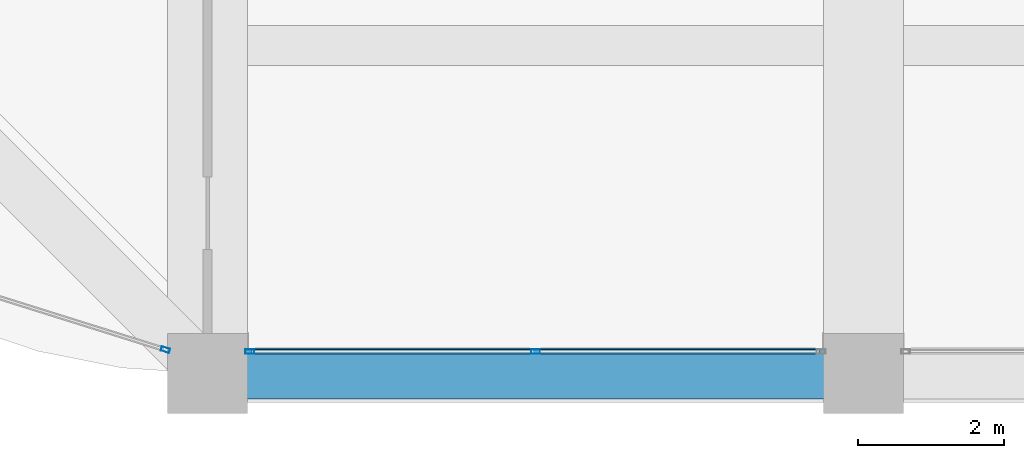
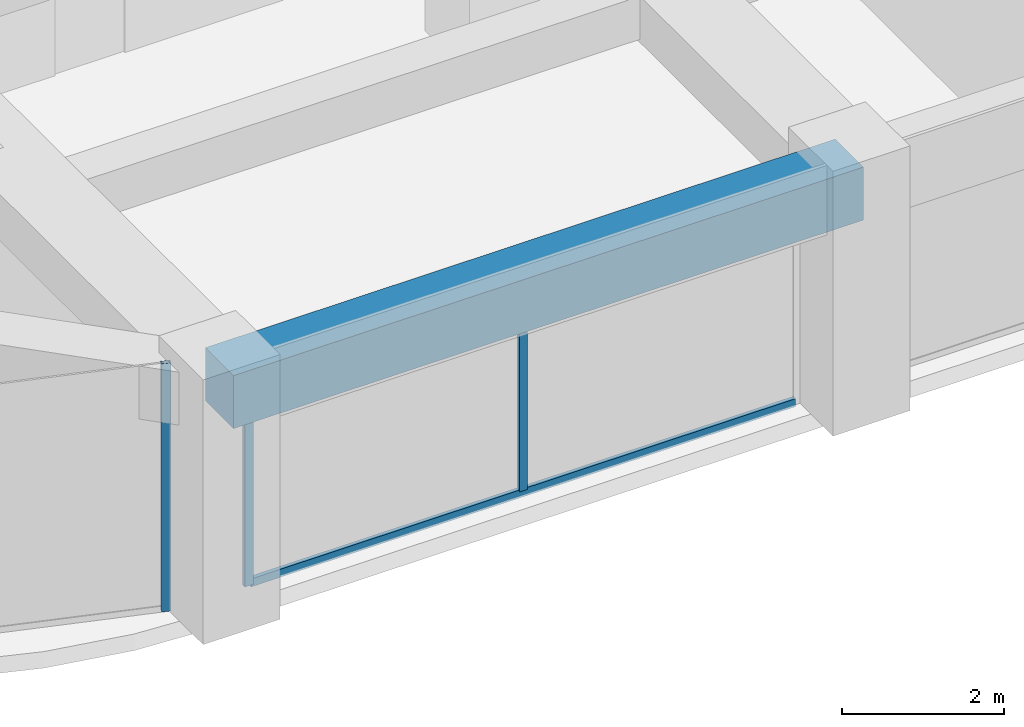
# One storey, part 4 of 44: 4 members, 1 beam, 2 elements without a shape of their own.
"""IFC4 building model written with IfcOpenShell, lengths in metres."""

import ifcopenshell
import ifcopenshell.guid

model = None  # the IFC model being written
_history = None  # IfcOwnerHistory: only IFC2X3 demands one
_inside = {}  # id of a spatial element -> (the spatial element, [elements in it])
_under = {}  # id of a project, library or spatial element -> (it, [spatial elements below it])
_declared = {}  # id of a project -> (the project, [libraries it declares])
_typed = {}  # id of a type object -> (the type object, [elements of that type])
_made_of = {}  # id of a material, layer set ... -> (it, [elements and type objects made of it])


def new_model(schema):
    """Start an empty IFC model of exactly this schema.

    Asked for "IFC4X3", IfcOpenShell would pick the latest addendum, in which some entities
    have other attributes; the version numbers below select the first issue.
    IFC2X3 requires an IfcOwnerHistory on every rooted entity: one is made here for all.
    """
    global model, _history
    if schema == "IFC4X3":
        model = ifcopenshell.file(schema_version=(4, 3, 0, 0))
    else:
        model = ifcopenshell.file(schema=schema)
    _inside.clear()
    _under.clear()
    _declared.clear()
    _typed.clear()
    _made_of.clear()
    _history = None
    if model.schema == "IFC2X3":
        org = make("IfcOrganization", Name="unknown")
        user = make(
            "IfcPersonAndOrganization",
            ThePerson=make("IfcPerson", FamilyName="unknown"),
            TheOrganization=org,
        )
        app = make(
            "IfcApplication",
            ApplicationDeveloper=org,
            Version="unknown",
            ApplicationFullName="unknown",
            ApplicationIdentifier="unknown",
        )
        _history = make(
            "IfcOwnerHistory",
            OwningUser=user,
            OwningApplication=app,
            ChangeAction="ADDED",
            CreationDate=0,
        )
    return model


def make(cls, **values):
    """One entity of the class cls with the attributes given. An attribute that is None is left unset."""
    return model.create_entity(
        cls, **{name: value for name, value in values.items() if value is not None}
    )


def rooted(cls, **values):
    """An entity with a GlobalId (a new one), such as an element, a storey or a relation."""
    return make(cls, GlobalId=ifcopenshell.guid.new(), OwnerHistory=_history, **values)


def si_unit(unit_type, name, prefix=None):
    """IfcSIUnit, for example si_unit("LENGTHUNIT", "METRE", prefix="MILLI")."""
    return make("IfcSIUnit", UnitType=unit_type, Prefix=prefix, Name=name)


def assignment(units):
    """IfcUnitAssignment: the units of a project."""
    return None if units is None else make("IfcUnitAssignment", Units=units)


def point(xyz):
    """IfcCartesianPoint."""
    return None if xyz is None else make("IfcCartesianPoint", Coordinates=xyz)


def direction(xyz):
    """IfcDirection."""
    return None if xyz is None else make("IfcDirection", DirectionRatios=xyz)


def frame(location, z_axis=None, x_axis=None):
    """IfcAxis2Placement3D, a coordinate frame: its origin and axes. An axis left out is left unset."""
    return make(
        "IfcAxis2Placement3D",
        Location=point(location),
        Axis=direction(z_axis),
        RefDirection=direction(x_axis),
    )


def frame_2d(location, x_axis=None):
    """IfcAxis2Placement2D, a coordinate frame in the plane: its origin and x axis."""
    return make(
        "IfcAxis2Placement2D", Location=point(location), RefDirection=direction(x_axis)
    )


def origin():
    """The frame at (0, 0, 0) with its axes left unset."""
    return frame((0.0, 0.0, 0.0))


def origin_2d():
    """The frame at (0, 0) in the plane with its x axis left unset."""
    return frame_2d((0.0, 0.0))


def place(relative_to, where):
    """IfcLocalPlacement: puts the frame where relative to a parent placement (None: the world)."""
    return make(
        "IfcLocalPlacement", PlacementRelTo=relative_to, RelativePlacement=where
    )


def context(
    kind, dimensions, precision=None, world=None, true_north=None, identifier=None
):
    """IfcGeometricRepresentationContext, for example the 3D "Model" context."""
    return make(
        "IfcGeometricRepresentationContext",
        ContextIdentifier=identifier,
        ContextType=kind,
        CoordinateSpaceDimension=dimensions,
        Precision=precision,
        WorldCoordinateSystem=world,
        TrueNorth=true_north,
    )


def subcontext(parent, identifier, kind, view, scale=None):
    """IfcGeometricRepresentationSubContext, for example "Body" below "Model"."""
    return make(
        "IfcGeometricRepresentationSubContext",
        ContextIdentifier=identifier,
        ContextType=kind,
        ParentContext=parent,
        TargetScale=scale,
        TargetView=view,
    )


def project(units=None, contexts=None):
    """IfcProject with its units and contexts."""
    return rooted(
        "IfcProject",
        Name="project",
        RepresentationContexts=contexts,
        UnitsInContext=assignment(units),
    )


def spatial(cls, under=None, at=None, **own):
    """A site, building, storey or space (cls), placed at a placement, below another one or the project."""
    s = rooted(cls, ObjectPlacement=at, **own)
    if under is not None:
        _under.setdefault(under.id(), (under, []))[1].append(s)
    return s


def profile(cls, at=None, kind="AREA", **sizes):
    """A parametric profile (cls). Its sizes go by their IFC names, for example OverallWidth=200.0."""
    return make(cls, ProfileType=kind, Position=at, **sizes)


def rectangle(**sizes):
    """IfcRectangleProfileDef."""
    return profile("IfcRectangleProfileDef", **sizes)


def hollow_rectangle(**sizes):
    """IfcRectangleHollowProfileDef."""
    return profile("IfcRectangleHollowProfileDef", **sizes)


def extrude(swept, where, along, depth):
    """IfcExtrudedAreaSolid: the profile swept, set in the frame where, extruded along a direction by depth."""
    return make(
        "IfcExtrudedAreaSolid",
        SweptArea=swept,
        Position=where,
        ExtrudedDirection=direction(along),
        Depth=depth,
    )


def shape(context_of_items, identifier, shape_type, items):
    """IfcShapeRepresentation: the items that make up one representation, for example the "Body"."""
    return make(
        "IfcShapeRepresentation",
        ContextOfItems=context_of_items,
        RepresentationIdentifier=identifier,
        RepresentationType=shape_type,
        Items=items,
    )


def material(Name=None, Category=None):
    """IfcMaterial."""
    return make("IfcMaterial", Name=Name, Category=Category)


def material_profile(
    of_material, cross_section, Name=None, Category=None, Priority=None
):
    """IfcMaterialProfile: a cross section and its material."""
    return make(
        "IfcMaterialProfile",
        Name=Name,
        Material=of_material,
        Profile=cross_section,
        Priority=Priority,
        Category=Category,
    )


def profile_set(profiles, Name=None, composite=None):
    """IfcMaterialProfileSet."""
    return make(
        "IfcMaterialProfileSet",
        Name=Name,
        MaterialProfiles=profiles,
        CompositeProfile=composite,
    )


def made_of(thing, what):
    """Note that an element or type object is made of a material, layer set ...; save() writes the relation."""
    if what is not None:
        _made_of.setdefault(what.id(), (what, []))[1].append(thing)
    return thing


def type_object(cls, material=None, **own):
    """A type object (cls), such as IfcWallType, which elements share."""
    return made_of(rooted(cls, **own), material)


def element(
    cls,
    number,
    at=None,
    inside=None,
    cuts=None,
    type_object=None,
    material=None,
    context=None,
    identifier="Body",
    shape_type=None,
    held_by="IfcProductDefinitionShape",
    body=None,
    shapes=None,
    **own,
):
    """One element of the class cls, such as IfcWall. Its Tag is "e" and its number.

    at: its placement. inside: the storey or other place that contains it. cuts: it is an
    opening in that element (IfcRelVoidsElement). A single representation is given by context,
    identifier, shape_type and body (its items); several are given by shapes. held_by: the class
    of the entity that holds the representations. save() writes the other relations.
    """
    e = rooted(cls, Tag="e%d" % number, ObjectPlacement=at, **own)
    if body is not None:
        shapes = [shape(context, identifier, shape_type, body)]
    if shapes is not None:
        e.Representation = make(held_by, Representations=shapes)
    if inside is not None:
        _inside.setdefault(inside.id(), (inside, []))[1].append(e)
    if cuts is not None:
        rooted(
            "IfcRelVoidsElement", RelatingBuildingElement=cuts, RelatedOpeningElement=e
        )
    if type_object is not None:
        _typed.setdefault(type_object.id(), (type_object, []))[1].append(e)
    return made_of(e, material)


def aggregate(whole, parts):
    """IfcRelAggregates: a whole, such as a stair, and the parts it consists of."""
    return rooted("IfcRelAggregates", RelatingObject=whole, RelatedObjects=parts)


def save(model, path):
    """Write the relations noted so far, then the file.

    IfcRelAggregates (storeys below a building ...), IfcRelContainedInSpatialStructure (elements
    in a storey), IfcRelDefinesByType, IfcRelAssociatesMaterial and IfcRelDeclares: one each for
    every whole, place, type object, material and project.
    """
    for whole, parts in _under.values():
        aggregate(whole, parts)
    for where, things in _inside.values():
        rooted(
            "IfcRelContainedInSpatialStructure",
            RelatedElements=things,
            RelatingStructure=where,
        )
    for kind, things in _typed.values():
        rooted("IfcRelDefinesByType", RelatedObjects=things, RelatingType=kind)
    for what, things in _made_of.values():
        rooted("IfcRelAssociatesMaterial", RelatedObjects=things, RelatingMaterial=what)
    for by, libraries in _declared.values():
        rooted("IfcRelDeclares", RelatingContext=by, RelatedDefinitions=libraries)
    model.write(path)


model = new_model("IFC4")

# Units and contexts
model_context = context("Model", 3, precision=1e-05, world=origin(), true_north=direction((0.0, 1.0)))
body_context = subcontext(model_context, "Body", "Model", "MODEL_VIEW")
ifc_project = project(units=[si_unit("LENGTHUNIT", "METRE"), si_unit("AREAUNIT", "SQUARE_METRE"), si_unit("VOLUMEUNIT", "CUBIC_METRE"), si_unit("PLANEANGLEUNIT", "RADIAN"), si_unit("MASSUNIT", "GRAM", prefix="KILO")], contexts=[model_context])

# Site, building, storey
site_placement = place(None, origin())
site = spatial("IfcSite", under=ifc_project, at=site_placement, CompositionType="ELEMENT")
building_placement = place(site_placement, origin())
building = spatial("IfcBuilding", under=site, at=building_placement, Name="Zorevar Civic Tower", CompositionType="ELEMENT")
storey_placement = place(building_placement, frame((0.0, 0.0, 251.39990234375)))
storey = spatial("IfcBuildingStorey", under=building, at=storey_placement, Name="L61", CompositionType="ELEMENT", Elevation=251.39990234375)

# Curtain wall, members
ifc_material_1 = material(Name="Dark grey solar-control glass in black aluminium frame", Category="aluminium")
curtain_wall_type = type_object("IfcCurtainWallType", Name="Curtain wall CW5 top zone", PredefinedType="NOTDEFINED", material=ifc_material_1)
curtain_wall_1_placement = place(storey_placement, origin())
curtain_wall_1 = element("IfcCurtainWall", 1, at=curtain_wall_1_placement, inside=storey, type_object=curtain_wall_type, Name="CW5 L61", PredefinedType="NOTDEFINED")
ifc_material_2 = material(Name="Aluminium, black anodised", Category="aluminium")
ifc_material_profile_1 = material_profile(ifc_material_2, hollow_rectangle(XDim=0.06005859375, YDim=0.1201171875, WallThickness=0.0029296875, at=origin_2d()), Name="AL 120x60x3")
ifc_profile_set_1 = profile_set([ifc_material_profile_1], Name="Aluminium, black anodised")
member_type_1 = type_object("IfcMemberType", Name="CW5 mullion AL 120x60x3", PredefinedType="MULLION", material=ifc_profile_set_1)
member_1_placement = place(storey_placement, frame((18.580078125, 0.300048828125, 0.0), z_axis=(0.0, 0.0, 1.0), x_axis=(0.0, 1.0, 0.0)))
member_1 = element("IfcMember", 2, at=member_1_placement, type_object=member_type_1, Name="CW5 mullion 1", PredefinedType="MULLION", context=body_context, shape_type="SweptSolid", body=[
    extrude(hollow_rectangle(XDim=0.06005859375, YDim=0.1201171875, WallThickness=0.0029296875, at=origin_2d()), origin(), (0.0, 0.0, 1.0), 2.9501953125),
])
member_2_placement = place(storey_placement, frame((22.5, 0.300048828125, 0.06005859375), z_axis=(0.0, 0.0, 1.0), x_axis=(0.0, 1.0, 0.0)))
member_2 = element("IfcMember", 3, at=member_2_placement, type_object=member_type_1, Name="CW5 mullion 2", PredefinedType="MULLION", context=body_context, shape_type="SweptSolid", body=[
    extrude(hollow_rectangle(XDim=0.06005859375, YDim=0.1201171875, WallThickness=0.0029296875, at=origin_2d()), origin(), (0.0, 0.0, 1.0), 2.89013671875),
])

# Curtain wall, member
curtain_wall_2_placement = place(storey_placement, origin())
curtain_wall_2 = element("IfcCurtainWall", 4, at=curtain_wall_2_placement, inside=storey, type_object=curtain_wall_type, Name="CW5 L61", PredefinedType="NOTDEFINED")
member_3_placement = place(storey_placement, frame((17.42138671875, 0.326416015625, 0.0), z_axis=(0.0, 0.0, 1.0), x_axis=(0.299317920238, 0.954153437674, 0.0)))
member_3 = element("IfcMember", 5, at=member_3_placement, type_object=member_type_1, Name="CW5 mullion 2", PredefinedType="MULLION", context=body_context, shape_type="SweptSolid", body=[
    extrude(hollow_rectangle(XDim=0.06005859375, YDim=0.1201171875, WallThickness=0.0029296875, at=origin_2d()), origin(), (0.0, 0.0, 1.0), 3.75),
])
aggregate(curtain_wall_2, [member_3])

# Member
ifc_material_3 = material(Name="Aluminium, black anodised", Category="aluminium")
ifc_material_profile_2 = material_profile(ifc_material_3, hollow_rectangle(XDim=0.06005859375, YDim=0.1201171875, WallThickness=0.0029296875, at=origin_2d()), Name="AL 120x60x3")
ifc_profile_set_2 = profile_set([ifc_material_profile_2], Name="Aluminium, black anodised")
member_type_2 = type_object("IfcMemberType", Name="CW5 transom AL 120x60x3", PredefinedType="USERDEFINED", material=ifc_profile_set_2)
member_4_placement = place(storey_placement, frame((18.610107421875, 0.300048828125, 0.030029296875), z_axis=(1.0, 0.0, 0.0), x_axis=(0.0, 1.0, 0.0)))
member_4 = element("IfcMember", 6, at=member_4_placement, type_object=member_type_2, Name="CW5 sill transom", ObjectType="TRANSOM", PredefinedType="USERDEFINED", context=body_context, shape_type="SweptSolid", body=[
    extrude(hollow_rectangle(XDim=0.06005859375, YDim=0.1201171875, WallThickness=0.0029296875, at=origin_2d()), origin(), (0.0, 0.0, 1.0), 7.77978515625),
])

aggregate(curtain_wall_1, [member_1, member_2, member_4])

# Beam
ifc_material_4 = material(Name="Concrete C50/60", Category="concrete")
ifc_material_profile_3 = material_profile(ifc_material_4, rectangle(XDim=0.699951171875, YDim=0.800048828125, at=origin_2d()), Name="RC 700x800")
ifc_profile_set_3 = profile_set([ifc_material_profile_3], Name="Concrete C50/60")
beam_type = type_object("IfcBeamType", Name="Edge beam RC 700x800", PredefinedType="SPANDREL", material=ifc_profile_set_3)
beam_placement = place(storey_placement, frame((18.0, 0.0, 3.35009765625), z_axis=(1.0, 0.0, 0.0), x_axis=(0.0, 1.0, 0.0)))
element("IfcBeam", 7, at=beam_placement, inside=storey, type_object=beam_type, Name="Edge beam L62", PredefinedType="SPANDREL", context=body_context, shape_type="SweptSolid", body=[
    extrude(rectangle(XDim=0.699951171875, YDim=0.800048828125, at=origin_2d()), origin(), (0.0, 0.0, 1.0), 9.0),
])

save(model, "model.ifc")
